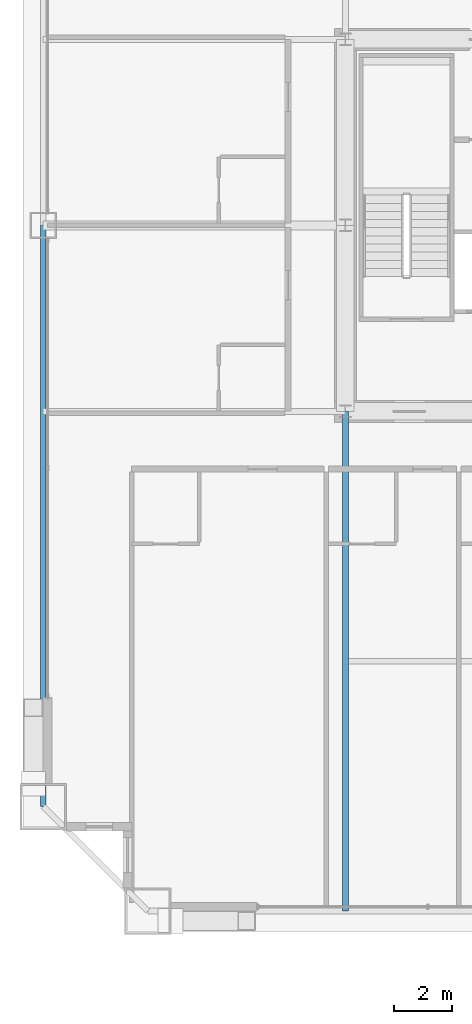
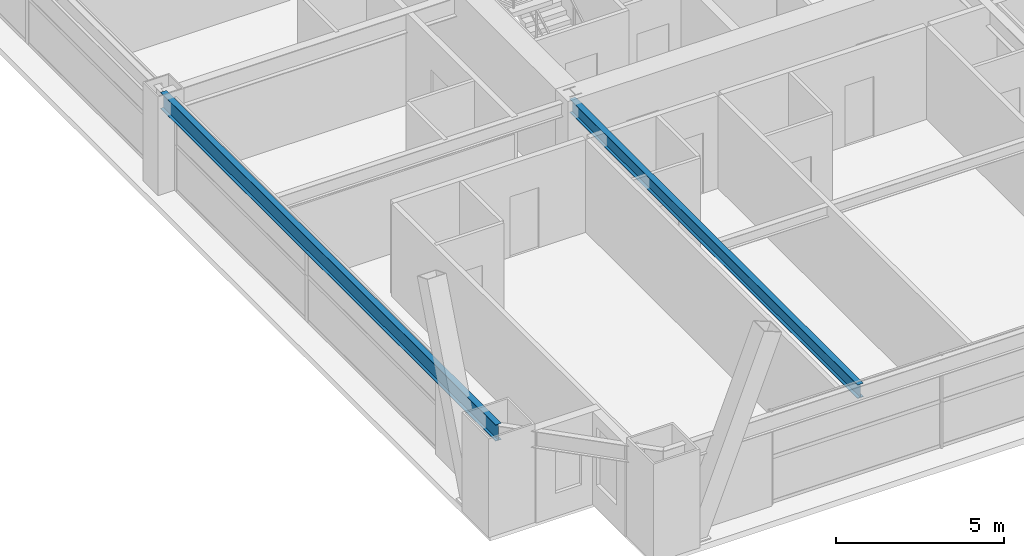
# One storey, part 7 of 43: 2 beams.
"""IFC4 building model written with IfcOpenShell, lengths in metres."""

from ifc_helpers import new_model, si_unit, direction, frame, origin, origin_2d, place, context, subcontext, project, spatial, i_section, extrude, source, transform, mapped, material, material_profile, profile_set, type_object, element, save


model = new_model("IFC4")

# Units and contexts
model_context = context("Model", 3, precision=1e-05, world=origin(), true_north=direction((0.0, 1.0)))
body_context = subcontext(model_context, "Body", "Model", "MODEL_VIEW")
ifc_project = project(units=[si_unit("LENGTHUNIT", "METRE"), si_unit("AREAUNIT", "SQUARE_METRE"), si_unit("VOLUMEUNIT", "CUBIC_METRE"), si_unit("PLANEANGLEUNIT", "RADIAN"), si_unit("MASSUNIT", "GRAM", prefix="KILO"), si_unit("THERMODYNAMICTEMPERATUREUNIT", "KELVIN"), si_unit("POWERUNIT", "WATT")], contexts=[model_context])

# Site, building, storey
site_placement = place(None, origin())
site = spatial("IfcSite", under=ifc_project, at=site_placement, CompositionType="ELEMENT")
building_placement = place(site_placement, origin())
building = spatial("IfcBuilding", under=site, at=building_placement, Name="Yuzanri Waterfront Tower", CompositionType="ELEMENT")
storey_placement = place(building_placement, frame((0.0, 0.0, 93.800048828125)))
storey = spatial("IfcBuildingStorey", under=building, at=storey_placement, Name="L24", CompositionType="ELEMENT", Elevation=93.800048828125)

# Beams
ifc_material_1 = material(Name="Steel Q355B", Category="steel")
ifc_material_profile_1 = material_profile(ifc_material_1, i_section(OverallWidth=0.199951171875, OverallDepth=0.60009765625, WebThickness=0.010986328125, FlangeThickness=0.01708984375, at=origin_2d()), Name="HN 600x200x11x17")
ifc_profile_set_1 = profile_set([ifc_material_profile_1], Name="Steel Q355B")
beam_type_1 = type_object("IfcBeamType", Name="Perimeter Spandrel Q355B HN 600x200", PredefinedType="SPANDREL", material=ifc_profile_set_1)
shared_shape_1 = source(origin(), body_context, "Body", "SweptSolid", [
    extrude(i_section(OverallWidth=0.199951171875, OverallDepth=0.60009765625, WebThickness=0.010986328125, FlangeThickness=0.01708984375, at=origin_2d()), origin(), (0.0, 0.0, 1.0), 20.0),
])
beam_1_placement = place(storey_placement, frame((13.39990234375, 25.800048828125, 3.079833984375), z_axis=(0.0, -1.0, 0.0), x_axis=(1.0, 0.0, 0.0)))
element("IfcBeam", 1, at=beam_1_placement, inside=storey, type_object=beam_type_1, Name="L24 Perimeter Spandrel W2-W1", PredefinedType="SPANDREL", context=body_context, shape_type="MappedRepresentation", body=[
    mapped(shared_shape_1, transform((0.0, 0.0, 0.0), scale=1.0)),
])
ifc_material_2 = material(Name="Steel Q355B", Category="steel")
ifc_material_profile_2 = material_profile(ifc_material_2, i_section(OverallWidth=0.199951171875, OverallDepth=0.5, WebThickness=0.010009765625, FlangeThickness=0.01611328125, at=origin_2d()), Name="HN 500x200x10x16")
ifc_profile_set_2 = profile_set([ifc_material_profile_2], Name="Steel Q355B")
beam_type_2 = type_object("IfcBeamType", Name="Secondary Floor Beam Q355B HN 500x200", PredefinedType="BEAM", material=ifc_profile_set_2)
shared_shape_2 = source(origin(), body_context, "Body", "SweptSolid", [
    extrude(i_section(OverallWidth=0.199951171875, OverallDepth=0.5, WebThickness=0.010009765625, FlangeThickness=0.01611328125, at=origin_2d()), origin(), (0.0, 0.0, 1.0), 17.199951171875),
])
beam_2_placement = place(storey_placement, frame((23.800048828125, 19.39990234375, 3.1298828125), z_axis=(0.0, -1.0, 0.0), x_axis=(1.0, 0.0, 0.0)))
element("IfcBeam", 2, at=beam_2_placement, inside=storey, type_object=beam_type_2, Name="L24 South-West Core Line Beam", PredefinedType="BEAM", context=body_context, shape_type="MappedRepresentation", body=[
    mapped(shared_shape_2, transform((0.0, 0.0, 0.0), scale=1.0)),
])

save(model, "model.ifc")
